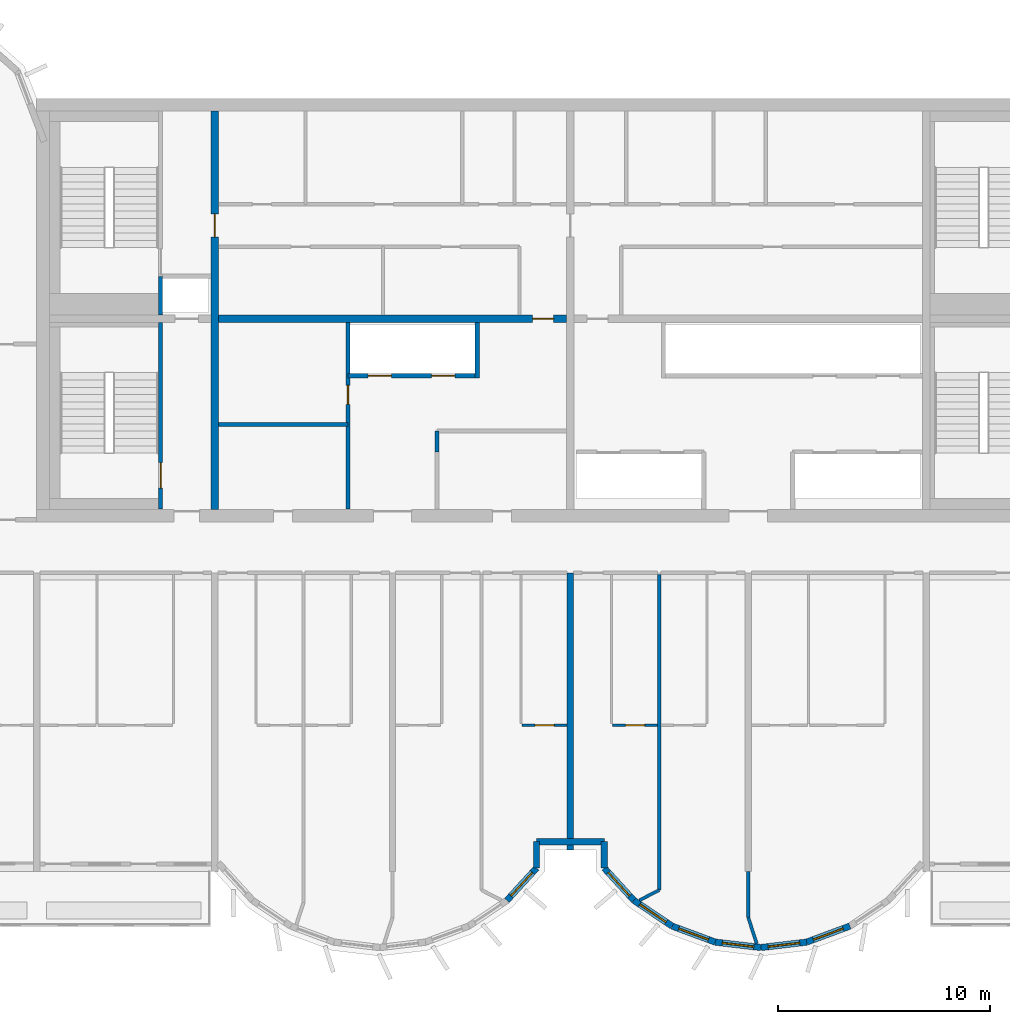
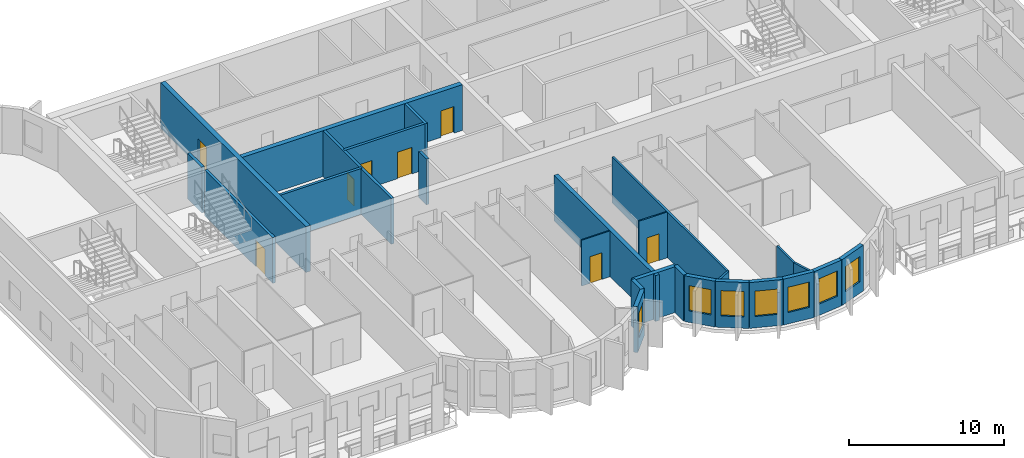
# One storey, part 4 of 11: 26 walls, 8 doors, 7 windows, 15 openings.
"""IFC4 building model written with IfcOpenShell, lengths in metres."""

from ifc_helpers import new_model, si_unit, direction, frame, frame_2d, origin, place, context, subcontext, project, spatial, rectangle, extrude, source, transform, mapped, material, layer, layer_set, type_object, element, fill, save


model = new_model("IFC4")

# Units and contexts
model_context = context("Model", 3, precision=1e-05, world=origin(), true_north=direction((0.0, 1.0)))
body_context = subcontext(model_context, "Body", "Model", "MODEL_VIEW")
ifc_project = project(units=[si_unit("LENGTHUNIT", "METRE"), si_unit("AREAUNIT", "SQUARE_METRE"), si_unit("VOLUMEUNIT", "CUBIC_METRE"), si_unit("PLANEANGLEUNIT", "RADIAN"), si_unit("MASSUNIT", "GRAM", prefix="KILO")], contexts=[model_context])

# Site, building, storey
site_placement = place(None, origin())
site = spatial("IfcSite", under=ifc_project, at=site_placement, CompositionType="ELEMENT")
building_placement = place(site_placement, origin())
building = spatial("IfcBuilding", under=site, at=building_placement, Name="Vanashikhar Sky Hotel", CompositionType="ELEMENT")
storey_placement = place(building_placement, frame((0.0, 0.0, 229.60009765625)))
storey = spatial("IfcBuildingStorey", under=building, at=storey_placement, Name="L55", CompositionType="ELEMENT", Elevation=229.60009765625)

# Wall, opening, door
ifc_material_1 = material(Name="Concrete M60", Category="concrete")
ifc_layer_1 = layer(ifc_material_1, 0.35009765625)
ifc_layer_set_1 = layer_set([ifc_layer_1], Name="RC core inner wall 350 Concrete M60")
wall_type_1 = type_object("IfcWallType", Name="RC core inner wall 350 Concrete M60", PredefinedType="SHEAR", material=ifc_layer_set_1)
shared_shape_1 = source(origin(), body_context, "Body", "SweptSolid", [
    extrude(rectangle(XDim=18.7998046875, YDim=0.35009765625, at=frame_2d((9.39990234375, 0.0))), origin(), (0.0, 0.0, 1.0), 3.619873046875),
])
wall_1_placement = place(storey_placement, frame((33.60009765625, 22.60009765625, 0.0), z_axis=(0.0, 0.0, 1.0), x_axis=(0.0, 1.0, 0.0)))
wall_1 = element("IfcWall", 1, at=wall_1_placement, inside=storey, type_object=wall_type_1, Name="KW-L55-KX1", PredefinedType="SHEAR", context=body_context, shape_type="MappedRepresentation", body=[
    mapped(shared_shape_1, transform((0.0, 0.0, 0.0), scale=1.0)),
])
shared_shape_2 = source(origin(), body_context, "Body", "SweptSolid", [
    extrude(rectangle(XDim=1.10009765625, YDim=2.10009765625, at=frame_2d((0.550048828125, 1.050048828125))), frame((0.0, 0.18505859375, 0.0), z_axis=(0.0, -1.0, 0.0), x_axis=(1.0, 0.0, 0.0)), (0.0, 0.0, 1.0), 0.3701171875),
])
opening_1_placement = place(wall_1_placement, frame((12.85009765625, 0.0, 0.0)))
opening_1 = element("IfcOpeningElement", 2, at=opening_1_placement, cuts=wall_1, Name="Opening DC-4-C", PredefinedType="OPENING", context=body_context, shape_type="MappedRepresentation", body=[
    mapped(shared_shape_2, transform((0.0, 0.0, 0.0), scale=1.0)),
])
ifc_material_2 = material(Name="Steel", Category="steel")
door_type_1 = type_object("IfcDoorType", Name="Service door 1100 FD60", OperationType="NOTDEFINED", PredefinedType="DOOR", material=ifc_material_2)
shared_shape_3 = source(origin(), body_context, "Body", "SweptSolid", [
    extrude(rectangle(XDim=1.10009765625, YDim=2.10009765625, at=frame_2d((0.550048828125, 1.050048828125))), frame((0.0, 0.02490234375, 0.0), z_axis=(0.0, -1.0, 0.0), x_axis=(1.0, 0.0, 0.0)), (0.0, 0.0, 1.0), 0.050048828125),
])
door_1_placement = place(opening_1_placement, origin())
door_1 = element("IfcDoor", 3, at=door_1_placement, inside=storey, type_object=door_type_1, Name="Service door 1100 FD60", OperationType="SINGLE_SWING_RIGHT", OverallHeight=2.10009765625, OverallWidth=1.10009765625, PredefinedType="DOOR", context=body_context, shape_type="MappedRepresentation", body=[
    mapped(shared_shape_3, transform((0.0, 0.0, 0.0), scale=1.0)),
])
fill(opening_1, door_1)

shared_shape_4 = source(origin(), body_context, "Body", "SweptSolid", [
    extrude(rectangle(XDim=16.4501953125, YDim=0.35009765625, at=frame_2d((8.22509765625, 0.0))), origin(), (0.0, 0.0, 1.0), 3.619873046875),
])
wall_2_placement = place(storey_placement, frame((33.77490234375, 31.60009765625, 0.0), z_axis=(0.0, 0.0, 1.0), x_axis=(1.0, 0.0, 0.0)))
wall_2 = element("IfcWall", 4, at=wall_2_placement, inside=storey, type_object=wall_type_1, Name="KW-L55-KY2", PredefinedType="SHEAR", context=body_context, shape_type="MappedRepresentation", body=[
    mapped(shared_shape_4, transform((0.0, 0.0, 0.0), scale=1.0)),
])
shared_shape_5 = source(origin(), body_context, "Body", "SweptSolid", [
    extrude(rectangle(XDim=1.0, YDim=2.10009765625, at=frame_2d((0.5, 1.050048828125))), frame((0.0, 0.18505859375, 0.0), z_axis=(0.0, -1.0, 0.0), x_axis=(1.0, 0.0, 0.0)), (0.0, 0.0, 1.0), 0.3701171875),
])
opening_2_placement = place(wall_2_placement, frame((14.8369140625, 0.0, 0.0)))
opening_2 = element("IfcOpeningElement", 5, at=opening_2_placement, cuts=wall_2, Name="Opening DC-4", PredefinedType="OPENING", context=body_context, shape_type="MappedRepresentation", body=[
    mapped(shared_shape_5, transform((0.0, 0.0, 0.0), scale=1.0)),
])
door_type_2 = type_object("IfcDoorType", Name="Service door 1000 FD60", OperationType="NOTDEFINED", PredefinedType="DOOR", material=ifc_material_2)
shared_shape_6 = source(origin(), body_context, "Body", "SweptSolid", [
    extrude(rectangle(XDim=1.0, YDim=2.10009765625, at=frame_2d((0.5, 1.050048828125))), frame((0.0, 0.02490234375, 0.0), z_axis=(0.0, -1.0, 0.0), x_axis=(1.0, 0.0, 0.0)), (0.0, 0.0, 1.0), 0.050048828125),
])
door_2_placement = place(opening_2_placement, origin())
door_2 = element("IfcDoor", 6, at=door_2_placement, inside=storey, type_object=door_type_2, Name="Service door 1000 FD60", OperationType="SINGLE_SWING_LEFT", OverallHeight=2.10009765625, OverallWidth=1.0, PredefinedType="DOOR", context=body_context, shape_type="MappedRepresentation", body=[
    mapped(shared_shape_6, transform((0.0, 0.0, 0.0), scale=1.0)),
])
fill(opening_2, door_2)

# Wall
ifc_layer_2 = layer(ifc_material_1, 0.300048828125)
ifc_layer_set_2 = layer_set([ifc_layer_2], Name="RC shear wall 300 Concrete M60")
wall_type_2 = type_object("IfcWallType", Name="RC shear wall 300 Concrete M60", PredefinedType="SHEAR", material=ifc_layer_set_2)
shared_shape_7 = source(origin(), body_context, "Body", "SweptSolid", [
    extrude(rectangle(XDim=13.10009765625, YDim=0.300048828125, at=frame_2d((6.550048828125, 0.0))), origin(), (0.0, 0.0, 1.0), 3.619873046875),
])
wall_3_placement = place(storey_placement, frame((50.39990234375, 6.5, 0.0), z_axis=(0.0, 0.0, 1.0), x_axis=(0.0, 1.0, 0.0)))
element("IfcWall", 7, at=wall_3_placement, inside=storey, type_object=wall_type_2, Name="CW-L55-XW07-1", PredefinedType="SHEAR", context=body_context, shape_type="MappedRepresentation", body=[
    mapped(shared_shape_7, transform((0.0, 0.0, 0.0), scale=1.0)),
])

# Wall, opening, window
ifc_material_3 = material(Name="Concrete M50", Category="concrete")
ifc_layer_3 = layer(ifc_material_3, 0.300048828125)
ifc_layer_set_3 = layer_set([ifc_layer_3], Name="Lobe wall 300")
wall_type_3 = type_object("IfcWallType", Name="Lobe wall 300", PredefinedType="SOLIDWALL", material=ifc_layer_set_3)
shared_shape_8 = source(origin(), body_context, "Body", "SweptSolid", [
    extrude(rectangle(XDim=2.17578125, YDim=0.300048828125, at=frame_2d((1.087890625, 0.0))), origin(), (0.0, 0.0, 1.0), 3.619873046875),
])
wall_4_placement = place(storey_placement, frame((53.395751953125, 4.13134765625, 0.0), z_axis=(0.0, 0.0, 1.0), x_axis=(0.829590746428, -0.558371913192, 0.0)))
wall_4 = element("IfcWall", 8, at=wall_4_placement, inside=storey, type_object=wall_type_3, Name="Lobe wall", PredefinedType="SOLIDWALL", context=body_context, shape_type="MappedRepresentation", body=[
    mapped(shared_shape_8, transform((0.0, 0.0, 0.0), scale=1.0)),
])
shared_shape_9 = source(origin(), body_context, "Body", "SweptSolid", [
    extrude(rectangle(XDim=1.5, YDim=2.0, at=frame_2d((0.75, 1.0))), frame((0.0, 0.16015625, 0.0), z_axis=(0.0, -1.0, 0.0), x_axis=(1.0, 0.0, 0.0)), (0.0, 0.0, 1.0), 0.320068359375),
])
opening_3_placement = place(wall_4_placement, frame((0.337890625, 0.0, 0.89990234375)))
opening_3 = element("IfcOpeningElement", 9, at=opening_3_placement, cuts=wall_4, Name="Opening WN-2", PredefinedType="OPENING", context=body_context, shape_type="MappedRepresentation", body=[
    mapped(shared_shape_9, transform((0.0, 0.0, 0.0), scale=1.0)),
])
ifc_material_4 = material(Name="Glass", Category="glass")
window_type = type_object("IfcWindowType", Name="Lobe window 1500 x 2000", PartitioningType="SINGLE_PANEL", PredefinedType="WINDOW", material=ifc_material_4)
shared_shape_10 = source(origin(), body_context, "Body", "SweptSolid", [
    extrude(rectangle(XDim=1.5, YDim=2.0, at=frame_2d((0.75, 1.0))), frame((0.0, 0.030029296875, 0.0), z_axis=(0.0, -1.0, 0.0), x_axis=(1.0, 0.0, 0.0)), (0.0, 0.0, 1.0), 0.06005859375),
])
window_1_placement = place(opening_3_placement, origin())
window_1 = element("IfcWindow", 10, at=window_1_placement, inside=storey, type_object=window_type, Name="Window WN-2", OverallHeight=2.0, OverallWidth=1.5, PartitioningType="SINGLE_PANEL", PredefinedType="WINDOW", context=body_context, shape_type="MappedRepresentation", body=[
    mapped(shared_shape_10, transform((0.0, 0.0, 0.0), scale=1.0)),
])
fill(opening_3, window_1)

wall_5_placement = place(storey_placement, frame((55.20068359375, 2.91650390625, 0.0), z_axis=(0.0, 0.0, 1.0), x_axis=(0.93754555999, -0.347862505801, 0.0)))
wall_5 = element("IfcWall", 11, at=wall_5_placement, inside=storey, type_object=wall_type_3, Name="Lobe wall", PredefinedType="SOLIDWALL", context=body_context, shape_type="MappedRepresentation", body=[
    mapped(shared_shape_8, transform((0.0, 0.0, 0.0), scale=1.0)),
])
opening_4_placement = place(wall_5_placement, frame((0.337890625, 0.0, 0.89990234375)))
opening_4 = element("IfcOpeningElement", 12, at=opening_4_placement, cuts=wall_5, Name="Opening WN-2", PredefinedType="OPENING", context=body_context, shape_type="MappedRepresentation", body=[
    mapped(shared_shape_9, transform((0.0, 0.0, 0.0), scale=1.0)),
])
window_2_placement = place(opening_4_placement, origin())
window_2 = element("IfcWindow", 13, at=window_2_placement, inside=storey, type_object=window_type, Name="Window WN-2", OverallHeight=2.0, OverallWidth=1.5, PartitioningType="SINGLE_PANEL", PredefinedType="WINDOW", context=body_context, shape_type="MappedRepresentation", body=[
    mapped(shared_shape_10, transform((0.0, 0.0, 0.0), scale=1.0)),
])
fill(opening_4, window_2)

shared_shape_11 = source(origin(), body_context, "Body", "SweptSolid", [
    extrude(rectangle(XDim=2.174560546875, YDim=0.300048828125, at=frame_2d((1.08740234375, 0.0))), origin(), (0.0, 0.0, 1.0), 3.619873046875),
])
wall_6_placement = place(storey_placement, frame((57.240478515625, 2.15966796875, 0.0), z_axis=(0.0, 0.0, 1.0), x_axis=(0.993001132889, -0.118104826659, 0.0)))
wall_6 = element("IfcWall", 14, at=wall_6_placement, inside=storey, type_object=wall_type_3, Name="Lobe wall", PredefinedType="SOLIDWALL", context=body_context, shape_type="MappedRepresentation", body=[
    mapped(shared_shape_11, transform((0.0, 0.0, 0.0), scale=1.0)),
])
opening_5_placement = place(wall_6_placement, frame((0.33740234375, 0.0, 0.89990234375)))
opening_5 = element("IfcOpeningElement", 15, at=opening_5_placement, cuts=wall_6, Name="Opening WN-2", PredefinedType="OPENING", context=body_context, shape_type="MappedRepresentation", body=[
    mapped(shared_shape_9, transform((0.0, 0.0, 0.0), scale=1.0)),
])
window_3_placement = place(opening_5_placement, origin())
window_3 = element("IfcWindow", 16, at=window_3_placement, inside=storey, type_object=window_type, Name="Window WN-2", OverallHeight=2.0, OverallWidth=1.5, PartitioningType="SINGLE_PANEL", PredefinedType="WINDOW", context=body_context, shape_type="MappedRepresentation", body=[
    mapped(shared_shape_10, transform((0.0, 0.0, 0.0), scale=1.0)),
])
fill(opening_5, window_3)

shared_shape_12 = source(origin(), body_context, "Body", "SweptSolid", [
    extrude(rectangle(XDim=2.1748046875, YDim=0.300048828125, at=frame_2d((1.08740234375, 0.0))), origin(), (0.0, 0.0, 1.0), 3.619873046875),
])
wall_7_placement = place(storey_placement, frame((59.39990234375, 1.90283203125, 0.0), z_axis=(0.0, 0.0, 1.0), x_axis=(0.993002698611, 0.118091661648, 0.0)))
wall_7 = element("IfcWall", 17, at=wall_7_placement, inside=storey, type_object=wall_type_3, Name="Lobe wall", PredefinedType="SOLIDWALL", context=body_context, shape_type="MappedRepresentation", body=[
    mapped(shared_shape_12, transform((0.0, 0.0, 0.0), scale=1.0)),
])
opening_6_placement = place(wall_7_placement, frame((0.33740234375, 0.0, 0.89990234375)))
opening_6 = element("IfcOpeningElement", 18, at=opening_6_placement, cuts=wall_7, Name="Opening WN-2", PredefinedType="OPENING", context=body_context, shape_type="MappedRepresentation", body=[
    mapped(shared_shape_9, transform((0.0, 0.0, 0.0), scale=1.0)),
])
window_4_placement = place(opening_6_placement, origin())
window_4 = element("IfcWindow", 19, at=window_4_placement, inside=storey, type_object=window_type, Name="Window WN-2", OverallHeight=2.0, OverallWidth=1.5, PartitioningType="SINGLE_PANEL", PredefinedType="WINDOW", context=body_context, shape_type="MappedRepresentation", body=[
    mapped(shared_shape_10, transform((0.0, 0.0, 0.0), scale=1.0)),
])
fill(opening_6, window_4)

shared_shape_13 = source(origin(), body_context, "Body", "SweptSolid", [
    extrude(rectangle(XDim=2.175537109375, YDim=0.300048828125, at=frame_2d((1.087890625, 0.0))), origin(), (0.0, 0.0, 1.0), 3.619873046875),
])
wall_8_placement = place(storey_placement, frame((61.5595703125, 2.15966796875, 0.0), z_axis=(0.0, 0.0, 1.0), x_axis=(0.937531979054, 0.347899106424, 0.0)))
wall_8 = element("IfcWall", 20, at=wall_8_placement, inside=storey, type_object=wall_type_3, Name="Lobe wall", PredefinedType="SOLIDWALL", context=body_context, shape_type="MappedRepresentation", body=[
    mapped(shared_shape_13, transform((0.0, 0.0, 0.0), scale=1.0)),
])
opening_7_placement = place(wall_8_placement, frame((0.337890625, 0.0, 0.89990234375)))
opening_7 = element("IfcOpeningElement", 21, at=opening_7_placement, cuts=wall_8, Name="Opening WN-2", PredefinedType="OPENING", context=body_context, shape_type="MappedRepresentation", body=[
    mapped(shared_shape_9, transform((0.0, 0.0, 0.0), scale=1.0)),
])
window_5_placement = place(opening_7_placement, origin())
window_5 = element("IfcWindow", 22, at=window_5_placement, inside=storey, type_object=window_type, Name="Window WN-2", OverallHeight=2.0, OverallWidth=1.5, PartitioningType="SINGLE_PANEL", PredefinedType="WINDOW", context=body_context, shape_type="MappedRepresentation", body=[
    mapped(shared_shape_10, transform((0.0, 0.0, 0.0), scale=1.0)),
])
fill(opening_7, window_5)

shared_shape_14 = source(origin(), body_context, "Body", "SweptSolid", [
    extrude(rectangle(XDim=2.066650390625, YDim=0.300048828125, at=frame_2d((1.033203125, 0.0))), origin(), (0.0, 0.0, 1.0), 3.619873046875),
])
wall_9_placement = place(storey_placement, frame((47.404296875, 4.13134765625, 0.0), z_axis=(0.0, 0.0, 1.0), x_axis=(0.675355439877, 0.737492393065, 0.0)))
wall_9 = element("IfcWall", 23, at=wall_9_placement, inside=storey, type_object=wall_type_3, Name="Lobe wall", PredefinedType="SOLIDWALL", context=body_context, shape_type="MappedRepresentation", body=[
    mapped(shared_shape_14, transform((0.0, 0.0, 0.0), scale=1.0)),
])
opening_8_placement = place(wall_9_placement, frame((0.283447265625, 0.0, 0.89990234375)))
opening_8 = element("IfcOpeningElement", 24, at=opening_8_placement, cuts=wall_9, Name="Opening WN-2", PredefinedType="OPENING", context=body_context, shape_type="MappedRepresentation", body=[
    mapped(shared_shape_9, transform((0.0, 0.0, 0.0), scale=1.0)),
])
window_6_placement = place(opening_8_placement, origin())
window_6 = element("IfcWindow", 25, at=window_6_placement, inside=storey, type_object=window_type, Name="Window WN-2", OverallHeight=2.0, OverallWidth=1.5, PartitioningType="SINGLE_PANEL", PredefinedType="WINDOW", context=body_context, shape_type="MappedRepresentation", body=[
    mapped(shared_shape_10, transform((0.0, 0.0, 0.0), scale=1.0)),
])
fill(opening_8, window_6)

wall_10_placement = place(storey_placement, frame((52.0, 5.655517578125, 0.0), z_axis=(0.0, 0.0, 1.0), x_axis=(0.675355439877, -0.737492393065, 0.0)))
wall_10 = element("IfcWall", 26, at=wall_10_placement, inside=storey, type_object=wall_type_3, Name="Lobe wall", PredefinedType="SOLIDWALL", context=body_context, shape_type="MappedRepresentation", body=[
    mapped(shared_shape_14, transform((0.0, 0.0, 0.0), scale=1.0)),
])
opening_9_placement = place(wall_10_placement, frame((0.283447265625, 0.0, 0.89990234375)))
opening_9 = element("IfcOpeningElement", 27, at=opening_9_placement, cuts=wall_10, Name="Opening WN-2", PredefinedType="OPENING", context=body_context, shape_type="MappedRepresentation", body=[
    mapped(shared_shape_9, transform((0.0, 0.0, 0.0), scale=1.0)),
])
window_7_placement = place(opening_9_placement, origin())
window_7 = element("IfcWindow", 28, at=window_7_placement, inside=storey, type_object=window_type, Name="Window WN-2", OverallHeight=2.0, OverallWidth=1.5, PartitioningType="SINGLE_PANEL", PredefinedType="WINDOW", context=body_context, shape_type="MappedRepresentation", body=[
    mapped(shared_shape_10, transform((0.0, 0.0, 0.0), scale=1.0)),
])
fill(opening_9, window_7)

# Walls
shared_shape_15 = source(origin(), body_context, "Body", "SweptSolid", [
    extrude(rectangle(XDim=1.244384765625, YDim=0.300048828125, at=frame_2d((0.6220703125, 0.0))), origin(), (0.0, 0.0, 1.0), 3.619873046875),
])
for number, where, z_axis, x_axis, name in (
    (29, (48.800048828125, 5.655517578125, 0.0), (0.0, 0.0, 1.0), (0.0, 1.0, 0.0), "Groove wall"),
    (30, (52.0, 6.89990234375, 0.0), (0.0, 0.0, 1.0), (0.0, -1.0, 0.0), "Groove wall"),
):
    element("IfcWall", number, at=place(storey_placement, frame(where, z_axis=z_axis, x_axis=x_axis)), inside=storey, type_object=wall_type_3, Name=name, PredefinedType="SOLIDWALL", context=body_context, shape_type="MappedRepresentation", body=[
        mapped(shared_shape_15, transform((0.0, 0.0, 0.0), scale=1.0)),
    ])
shared_shape_16 = source(origin(), body_context, "Body", "SweptSolid", [
    extrude(rectangle(XDim=3.199951171875, YDim=0.300048828125, at=frame_2d((1.60009765625, 0.0))), origin(), (0.0, 0.0, 1.0), 3.619873046875),
])
wall_11_placement = place(storey_placement, frame((48.800048828125, 6.89990234375, 0.0), z_axis=(0.0, 0.0, 1.0), x_axis=(1.0, 0.0, 0.0)))
element("IfcWall", 31, at=wall_11_placement, inside=storey, type_object=wall_type_3, Name="Groove wall", PredefinedType="SOLIDWALL", context=body_context, shape_type="MappedRepresentation", body=[
    mapped(shared_shape_16, transform((0.0, 0.0, 0.0), scale=1.0)),
])

# Wall, openings, doors
ifc_material_5 = material(Name="Concrete M40", Category="concrete")
ifc_layer_4 = layer(ifc_material_5, 0.199951171875)
ifc_layer_set_4 = layer_set([ifc_layer_4], Name="Shaft wall 200")
wall_type_4 = type_object("IfcWallType", Name="Shaft wall 200", PredefinedType="SOLIDWALL", material=ifc_layer_set_4)
shared_shape_17 = source(origin(), body_context, "Body", "SweptSolid", [
    extrude(rectangle(XDim=6.0, YDim=0.199951171875, at=frame_2d((3.0, 0.0))), origin(), (0.0, 0.0, 1.0), 3.619873046875),
])
wall_12_placement = place(storey_placement, frame((39.89990234375, 28.89990234375, 0.0), z_axis=(0.0, 0.0, 1.0), x_axis=(1.0, 0.0, 0.0)))
wall_12 = element("IfcWall", 32, at=wall_12_placement, inside=storey, type_object=wall_type_4, Name="Shaft wall 200", PredefinedType="SOLIDWALL", context=body_context, shape_type="MappedRepresentation", body=[
    mapped(shared_shape_17, transform((0.0, 0.0, 0.0), scale=1.0)),
])
shared_shape_18 = source(origin(), body_context, "Body", "SweptSolid", [
    extrude(rectangle(XDim=1.10009765625, YDim=2.10009765625, at=frame_2d((0.550048828125, 1.050048828125))), frame((0.0, 0.10986328125, 0.0), z_axis=(0.0, -1.0, 0.0), x_axis=(1.0, 0.0, 0.0)), (0.0, 0.0, 1.0), 0.219970703125),
])
opening_10_placement = place(wall_12_placement, frame((0.949951171875, 0.0, 0.0)))
opening_10 = element("IfcOpeningElement", 33, at=opening_10_placement, cuts=wall_12, Name="Opening LD", PredefinedType="OPENING", context=body_context, shape_type="MappedRepresentation", body=[
    mapped(shared_shape_18, transform((0.0, 0.0, 0.0), scale=1.0)),
])
opening_11_placement = place(wall_12_placement, frame((3.949951171875, 0.0, 0.0)))
opening_11 = element("IfcOpeningElement", 34, at=opening_11_placement, cuts=wall_12, Name="Opening LD", PredefinedType="OPENING", context=body_context, shape_type="MappedRepresentation", body=[
    mapped(shared_shape_18, transform((0.0, 0.0, 0.0), scale=1.0)),
])
ifc_material_6 = material(Name="Stainless steel", Category="steel")
door_type_3 = type_object("IfcDoorType", Name="Lift landing door 1100", OperationType="NOTDEFINED", PredefinedType="DOOR", material=ifc_material_6)
door_3_placement = place(opening_10_placement, origin())
door_3 = element("IfcDoor", 35, at=door_3_placement, inside=storey, type_object=door_type_3, Name="Lift landing door 1100", OperationType="SLIDING_TO_LEFT", OverallHeight=2.10009765625, OverallWidth=1.10009765625, PredefinedType="DOOR", context=body_context, shape_type="MappedRepresentation", body=[
    mapped(shared_shape_3, transform((0.0, 0.0, 0.0), scale=1.0)),
])
fill(opening_10, door_3)
door_4_placement = place(opening_11_placement, origin())
door_4 = element("IfcDoor", 36, at=door_4_placement, inside=storey, type_object=door_type_3, Name="Lift landing door 1100", OperationType="SLIDING_TO_RIGHT", OverallHeight=2.10009765625, OverallWidth=1.10009765625, PredefinedType="DOOR", context=body_context, shape_type="MappedRepresentation", body=[
    mapped(shared_shape_3, transform((0.0, 0.0, 0.0), scale=1.0)),
])
fill(opening_11, door_4)

# Wall, opening, door
ifc_material_7 = material(Name="Gypsum board partition")
ifc_layer_5 = layer(ifc_material_7, 0.14990234375)
ifc_layer_set_5 = layer_set([ifc_layer_5], Name="Service partition 150")
wall_type_5 = type_object("IfcWallType", Name="Service partition 150", PredefinedType="PARTITIONING", material=ifc_layer_set_5)
shared_shape_19 = source(origin(), body_context, "Body", "SweptSolid", [
    extrude(rectangle(XDim=8.824951171875, YDim=0.199951171875, at=frame_2d((4.41259765625, 0.0))), origin(), (0.0, 0.0, 1.0), 3.619873046875),
])
wall_13_placement = place(storey_placement, frame((39.89990234375, 22.60009765625, 0.0), z_axis=(0.0, 0.0, 1.0), x_axis=(0.0, 1.0, 0.0)))
wall_13 = element("IfcWall", 37, at=wall_13_placement, inside=storey, type_object=wall_type_5, Name="Service partition 150", PredefinedType="PARTITIONING", context=body_context, shape_type="MappedRepresentation", body=[
    mapped(shared_shape_19, transform((0.0, 0.0, 0.0), scale=1.0)),
])
shared_shape_20 = source(origin(), body_context, "Body", "SweptSolid", [
    extrude(rectangle(XDim=0.89990234375, YDim=2.10009765625, at=frame_2d((0.449951171875, 1.050048828125))), frame((0.0, 0.10986328125, 0.0), z_axis=(0.0, -1.0, 0.0), x_axis=(1.0, 0.0, 0.0)), (0.0, 0.0, 1.0), 0.219970703125),
])
opening_12_placement = place(wall_13_placement, frame((4.949951171875, 0.0, 0.0)))
opening_12 = element("IfcOpeningElement", 38, at=opening_12_placement, cuts=wall_13, Name="Opening DC-4-A", PredefinedType="OPENING", context=body_context, shape_type="MappedRepresentation", body=[
    mapped(shared_shape_20, transform((0.0, 0.0, 0.0), scale=1.0)),
])
door_type_4 = type_object("IfcDoorType", Name="Service door 900 FD60", OperationType="NOTDEFINED", PredefinedType="DOOR", material=ifc_material_2)
shared_shape_21 = source(origin(), body_context, "Body", "SweptSolid", [
    extrude(rectangle(XDim=0.89990234375, YDim=2.10009765625, at=frame_2d((0.449951171875, 1.050048828125))), frame((0.0, 0.02490234375, 0.0), z_axis=(0.0, -1.0, 0.0), x_axis=(1.0, 0.0, 0.0)), (0.0, 0.0, 1.0), 0.050048828125),
])
door_5_placement = place(opening_12_placement, origin())
door_5 = element("IfcDoor", 39, at=door_5_placement, inside=storey, type_object=door_type_4, Name="Service door 900 FD60", OperationType="SINGLE_SWING_LEFT", OverallHeight=2.10009765625, OverallWidth=0.89990234375, PredefinedType="DOOR", context=body_context, shape_type="MappedRepresentation", body=[
    mapped(shared_shape_21, transform((0.0, 0.0, 0.0), scale=1.0)),
])
fill(opening_12, door_5)

# Walls
shared_shape_22 = source(origin(), body_context, "Body", "SweptSolid", [
    extrude(rectangle(XDim=2.625, YDim=0.199951171875, at=frame_2d((1.3125, 0.0))), origin(), (0.0, 0.0, 1.0), 3.619873046875),
])
wall_14_placement = place(storey_placement, frame((46.0, 28.800048828125, 0.0), z_axis=(0.0, 0.0, 1.0), x_axis=(0.0, 1.0, 0.0)))
element("IfcWall", 40, at=wall_14_placement, inside=storey, type_object=wall_type_4, Name="Shaft wall 200", PredefinedType="SOLIDWALL", context=body_context, shape_type="MappedRepresentation", body=[
    mapped(shared_shape_22, transform((0.0, 0.0, 0.0), scale=1.0)),
])
shared_shape_23 = source(origin(), body_context, "Body", "SweptSolid", [
    extrude(rectangle(XDim=6.125, YDim=0.199951171875, at=frame_2d((3.0625, 0.0))), origin(), (0.0, 0.0, 1.0), 3.619873046875),
])
wall_15_placement = place(storey_placement, frame((33.77490234375, 26.60009765625, 0.0), z_axis=(0.0, 0.0, 1.0), x_axis=(1.0, 0.0, 0.0)))
element("IfcWall", 41, at=wall_15_placement, inside=storey, type_object=wall_type_5, Name="Service partition 150", PredefinedType="PARTITIONING", context=body_context, shape_type="MappedRepresentation", body=[
    mapped(shared_shape_23, transform((0.0, 0.0, 0.0), scale=1.0)),
])
shared_shape_24 = source(origin(), body_context, "Body", "SweptSolid", [
    extrude(rectangle(XDim=1.0, YDim=0.199951171875, at=frame_2d((0.5, 0.0))), origin(), (0.0, 0.0, 1.0), 3.619873046875),
])
wall_16_placement = place(storey_placement, frame((44.10009765625, 25.300048828125, 0.0), z_axis=(0.0, 0.0, 1.0), x_axis=(0.0, 1.0, 0.0)))
element("IfcWall", 42, at=wall_16_placement, inside=storey, type_object=wall_type_5, Name="Service partition 150", PredefinedType="PARTITIONING", context=body_context, shape_type="MappedRepresentation", body=[
    mapped(shared_shape_24, transform((0.0, 0.0, 0.0), scale=1.0)),
])

# Wall, opening, door
ifc_layer_6 = layer(ifc_material_3, 0.199951171875)
ifc_layer_set_6 = layer_set([ifc_layer_6], Name="Stair wall 200")
wall_type_6 = type_object("IfcWallType", Name="Stair wall 200", PredefinedType="SOLIDWALL", material=ifc_layer_set_6)
shared_shape_25 = source(origin(), body_context, "Body", "SweptSolid", [
    extrude(rectangle(XDim=8.824951171875, YDim=0.199951171875, at=frame_2d((4.41259765625, 0.0))), origin(), (0.0, 0.0, 1.0), 3.619873046875),
])
wall_17_placement = place(storey_placement, frame((31.050048828125, 22.60009765625, 0.0), z_axis=(0.0, 0.0, 1.0), x_axis=(0.0, 1.0, 0.0)))
wall_17 = element("IfcWall", 43, at=wall_17_placement, inside=storey, type_object=wall_type_6, Name="Stair wall 200", PredefinedType="SOLIDWALL", context=body_context, shape_type="MappedRepresentation", body=[
    mapped(shared_shape_25, transform((0.0, 0.0, 0.0), scale=1.0)),
])
shared_shape_26 = source(origin(), body_context, "Body", "SweptSolid", [
    extrude(rectangle(XDim=1.199951171875, YDim=2.10009765625, at=frame_2d((0.60009765625, 1.050048828125))), frame((0.0, 0.10986328125, 0.0), z_axis=(0.0, -1.0, 0.0), x_axis=(1.0, 0.0, 0.0)), (0.0, 0.0, 1.0), 0.219970703125),
])
opening_13_placement = place(wall_17_placement, frame((1.0, 0.0, 0.0)))
opening_13 = element("IfcOpeningElement", 44, at=opening_13_placement, cuts=wall_17, Name="Opening DC-1", PredefinedType="OPENING", context=body_context, shape_type="MappedRepresentation", body=[
    mapped(shared_shape_26, transform((0.0, 0.0, 0.0), scale=1.0)),
])
door_type_5 = type_object("IfcDoorType", Name="Stair door 1200 FD120", OperationType="NOTDEFINED", PredefinedType="DOOR", material=ifc_material_2)
shared_shape_27 = source(origin(), body_context, "Body", "SweptSolid", [
    extrude(rectangle(XDim=1.199951171875, YDim=2.10009765625, at=frame_2d((0.60009765625, 1.050048828125))), frame((0.0, 0.02490234375, 0.0), z_axis=(0.0, -1.0, 0.0), x_axis=(1.0, 0.0, 0.0)), (0.0, 0.0, 1.0), 0.050048828125),
])
door_6_placement = place(opening_13_placement, origin())
door_6 = element("IfcDoor", 45, at=door_6_placement, inside=storey, type_object=door_type_5, Name="Stair door 1200 FD120", OperationType="SINGLE_SWING_LEFT", OverallHeight=2.10009765625, OverallWidth=1.199951171875, PredefinedType="DOOR", context=body_context, shape_type="MappedRepresentation", body=[
    mapped(shared_shape_27, transform((0.0, 0.0, 0.0), scale=1.0)),
])
fill(opening_13, door_6)

# Wall
shared_shape_28 = source(origin(), body_context, "Body", "SweptSolid", [
    extrude(rectangle(XDim=1.8251953125, YDim=0.199951171875, at=frame_2d((0.91259765625, 0.0))), origin(), (0.0, 0.0, 1.0), 3.619873046875),
])
wall_18_placement = place(storey_placement, frame((31.050048828125, 31.77490234375, 0.0), z_axis=(0.0, 0.0, 1.0), x_axis=(0.0, 1.0, 0.0)))
element("IfcWall", 46, at=wall_18_placement, inside=storey, type_object=wall_type_4, Name="Shaft wall 200", PredefinedType="SOLIDWALL", context=body_context, shape_type="MappedRepresentation", body=[
    mapped(shared_shape_28, transform((0.0, 0.0, 0.0), scale=1.0)),
])

# Wall, opening, door
ifc_material_8 = material(Name="Gypsum plasterboard partition")
ifc_layer_7 = layer(ifc_material_8, 0.10009765625)
ifc_layer_set_7 = layer_set([ifc_layer_7], Name="Wet room partition 100")
wall_type_7 = type_object("IfcWallType", Name="Wet room partition 100", PredefinedType="PARTITIONING", material=ifc_layer_set_7)
shared_shape_29 = source(origin(), body_context, "Body", "SweptSolid", [
    extrude(rectangle(XDim=2.125, YDim=0.10009765625, at=frame_2d((1.0625, 0.0))), origin(), (0.0, 0.0, 1.0), 3.619873046875),
])
wall_19_placement = place(storey_placement, frame((48.125, 12.39990234375, 0.0), z_axis=(0.0, 0.0, 1.0), x_axis=(1.0, 0.0, 0.0)))
wall_19 = element("IfcWall", 47, at=wall_19_placement, inside=storey, type_object=wall_type_7, Name="W-L55-PW024", PredefinedType="PARTITIONING", context=body_context, shape_type="MappedRepresentation", body=[
    mapped(shared_shape_29, transform((0.0, 0.0, 0.0), scale=1.0)),
])
shared_shape_30 = source(origin(), body_context, "Body", "SweptSolid", [
    extrude(rectangle(XDim=0.89990234375, YDim=2.10009765625, at=frame_2d((0.449951171875, 1.050048828125))), frame((0.0, 0.06005859375, 0.0), z_axis=(0.0, -1.0, 0.0), x_axis=(1.0, 0.0, 0.0)), (0.0, 0.0, 1.0), 0.1201171875),
])
opening_14_placement = place(wall_19_placement, frame((0.612060546875, 0.0, 0.0)))
opening_14 = element("IfcOpeningElement", 48, at=opening_14_placement, cuts=wall_19, Name="Opening D-02", PredefinedType="OPENING", context=body_context, shape_type="MappedRepresentation", body=[
    mapped(shared_shape_30, transform((0.0, 0.0, 0.0), scale=1.0)),
])
ifc_material_9 = material(Name="Timber door", Category="wood")
door_type_6 = type_object("IfcDoorType", Name="Internal door 900", OperationType="NOTDEFINED", PredefinedType="DOOR", material=ifc_material_9)
door_7_placement = place(opening_14_placement, origin())
door_7 = element("IfcDoor", 49, at=door_7_placement, inside=storey, type_object=door_type_6, Name="D-L55-014", OperationType="SINGLE_SWING_LEFT", OverallHeight=2.10009765625, OverallWidth=0.89990234375, PredefinedType="DOOR", context=body_context, shape_type="MappedRepresentation", body=[
    mapped(shared_shape_21, transform((0.0, 0.0, 0.0), scale=1.0)),
])
fill(opening_14, door_7)

wall_20_placement = place(storey_placement, frame((52.39990234375, 12.39990234375, 0.0), z_axis=(0.0, 0.0, 1.0), x_axis=(1.0, 0.0, 0.0)))
wall_20 = element("IfcWall", 50, at=wall_20_placement, inside=storey, type_object=wall_type_7, Name="W-L55-PW028", PredefinedType="PARTITIONING", context=body_context, shape_type="MappedRepresentation", body=[
    mapped(shared_shape_29, transform((0.0, 0.0, 0.0), scale=1.0)),
])
opening_15_placement = place(wall_20_placement, frame((0.612060546875, 0.0, 0.0)))
opening_15 = element("IfcOpeningElement", 51, at=opening_15_placement, cuts=wall_20, Name="Opening D-02", PredefinedType="OPENING", context=body_context, shape_type="MappedRepresentation", body=[
    mapped(shared_shape_30, transform((0.0, 0.0, 0.0), scale=1.0)),
])
door_8_placement = place(opening_15_placement, origin())
door_8 = element("IfcDoor", 52, at=door_8_placement, inside=storey, type_object=door_type_6, Name="D-L55-016", OperationType="SINGLE_SWING_LEFT", OverallHeight=2.10009765625, OverallWidth=0.89990234375, PredefinedType="DOOR", context=body_context, shape_type="MappedRepresentation", body=[
    mapped(shared_shape_21, transform((0.0, 0.0, 0.0), scale=1.0)),
])
fill(opening_15, door_8)

# Walls
ifc_layer_8 = layer(ifc_material_8, 0.14990234375)
ifc_layer_set_8 = layer_set([ifc_layer_8], Name="Corridor and demising partition 150")
wall_type_8 = type_object("IfcWallType", Name="Corridor and demising partition 150", PredefinedType="PARTITIONING", material=ifc_layer_set_8)
shared_shape_31 = source(origin(), body_context, "Body", "SweptSolid", [
    extrude(rectangle(XDim=14.906005859375, YDim=0.14990234375, at=frame_2d((7.453125, 0.0))), origin(), (0.0, 0.0, 1.0), 3.619873046875),
])
wall_21_placement = place(storey_placement, frame((54.60009765625, 4.618896484375, 0.0), z_axis=(0.0, 0.0, 1.0), x_axis=(0.0, 1.0, 0.0)))
element("IfcWall", 53, at=wall_21_placement, inside=storey, type_object=wall_type_8, Name="W-L55-PW033", PredefinedType="PARTITIONING", context=body_context, shape_type="MappedRepresentation", body=[
    mapped(shared_shape_31, transform((0.0, 0.0, 0.0), scale=1.0)),
])
shared_shape_32 = source(origin(), body_context, "Body", "SweptSolid", [
    extrude(rectangle(XDim=2.177978515625, YDim=0.14990234375, at=frame_2d((1.0888671875, 0.0))), origin(), (0.0, 0.0, 1.0), 3.619873046875),
])
wall_22_placement = place(storey_placement, frame((58.800048828125, 3.322021484375, 0.0), z_axis=(0.0, 0.0, 1.0), x_axis=(0.0, 1.0, 0.0)))
element("IfcWall", 54, at=wall_22_placement, inside=storey, type_object=wall_type_8, Name="W-L55-PW048", PredefinedType="PARTITIONING", context=body_context, shape_type="MappedRepresentation", body=[
    mapped(shared_shape_32, transform((0.0, 0.0, 0.0), scale=1.0)),
])
shared_shape_33 = source(origin(), body_context, "Body", "SweptSolid", [
    extrude(rectangle(XDim=1.057861328125, YDim=0.14990234375, at=frame_2d((0.52880859375, 0.0))), origin(), (0.0, 0.0, 1.0), 3.619873046875),
])
wall_23_placement = place(storey_placement, frame((53.659912109375, 4.134033203125, 0.0), z_axis=(0.0, 0.0, 1.0), x_axis=(0.888772319209, 0.458348955063, 0.0)))
element("IfcWall", 55, at=wall_23_placement, inside=storey, type_object=wall_type_8, Name="W-L55-PW033B0", PredefinedType="PARTITIONING", context=body_context, shape_type="MappedRepresentation", body=[
    mapped(shared_shape_33, transform((0.0, 0.0, 0.0), scale=1.0)),
])
shared_shape_34 = source(origin(), body_context, "Body", "SweptSolid", [
    extrude(rectangle(XDim=1.308349609375, YDim=0.14990234375, at=frame_2d((0.654296875, 0.0))), origin(), (0.0, 0.0, 1.0), 3.619873046875),
])
wall_24_placement = place(storey_placement, frame((59.201904296875, 2.076904296875, 0.0), z_axis=(0.0, 0.0, 1.0), x_axis=(-0.307144529633, 0.951662880392, 0.0)))
element("IfcWall", 56, at=wall_24_placement, inside=storey, type_object=wall_type_8, Name="W-L55-PW048B0", PredefinedType="PARTITIONING", context=body_context, shape_type="MappedRepresentation", body=[
    mapped(shared_shape_34, transform((0.0, 0.0, 0.0), scale=1.0)),
])

save(model, "model.ifc")
